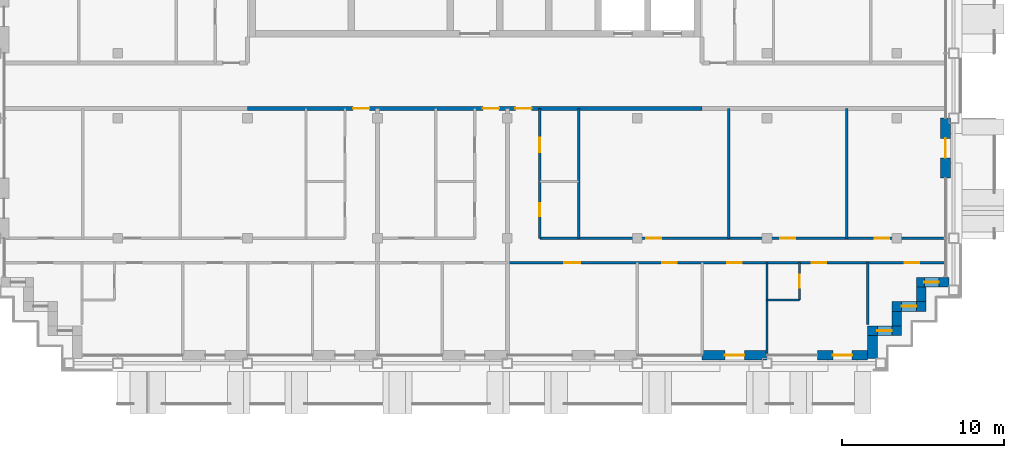
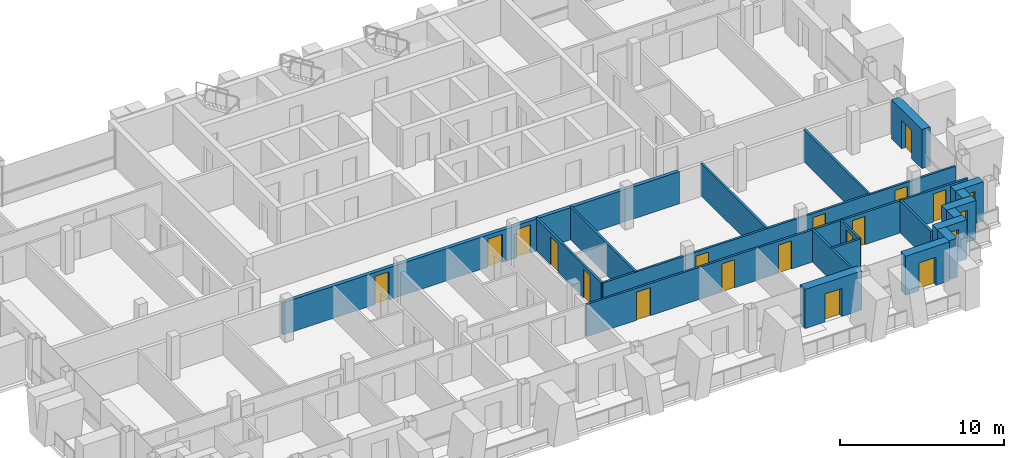
# One storey, part 9 of 16: 20 walls, 17 doors, 3 windows, 20 openings.
"""IFC4 building model written with IfcOpenShell, lengths in metres."""

from ifc_helpers import new_model, si_unit, direction, frame, frame_2d, origin, place, context, subcontext, project, spatial, rectangle, extrude, material, layer, layer_set, type_object, element, fill, save


model = new_model("IFC4")

# Units and contexts
model_context = context("Model", 3, precision=1e-05, world=origin(), true_north=direction((0.0, 1.0)))
body_context = subcontext(model_context, "Body", "Model", "MODEL_VIEW")
ifc_project = project(units=[si_unit("LENGTHUNIT", "METRE"), si_unit("AREAUNIT", "SQUARE_METRE"), si_unit("VOLUMEUNIT", "CUBIC_METRE"), si_unit("PLANEANGLEUNIT", "RADIAN"), si_unit("MASSUNIT", "GRAM", prefix="KILO")], contexts=[model_context])

# Site, building, storey
site_placement = place(None, origin())
site = spatial("IfcSite", under=ifc_project, at=site_placement, CompositionType="ELEMENT")
building_placement = place(site_placement, origin())
building = spatial("IfcBuilding", under=site, at=building_placement, Name="Vidyagriha Tower", CompositionType="ELEMENT")
storey_placement = place(building_placement, frame((0.0, 0.0, 220.39990234375)))
storey = spatial("IfcBuildingStorey", under=building, at=storey_placement, Name="L57", CompositionType="ELEMENT", Elevation=220.39990234375)

# Wall, opening, door
ifc_material_1 = material(Name="Precast concrete C40/50 with brick facing", Category="concrete")
ifc_layer_1 = layer(ifc_material_1, 0.60009765625)
ifc_layer_set_1 = layer_set([ifc_layer_1], Name="Precast concrete C40/50 with brick facing")
wall_type_1 = type_object("IfcWallType", Name="Brick-faced precast wall 600", PredefinedType="STANDARD", material=ifc_layer_set_1)
wall_1_placement = place(storey_placement, frame((14.0, -16.60009765625, 0.0)))
wall_1 = element("IfcWall", 1, at=wall_1_placement, inside=storey, type_object=wall_type_1, Name="Brick door bay wall L57 R23.11", PredefinedType="STANDARD", context=body_context, shape_type="SweptSolid", body=[
    extrude(rectangle(XDim=4.0, YDim=0.60009765625, at=frame_2d((2.0, 0.0))), origin(), (0.0, 0.0, 1.0), 2.920166015625),
])
opening_1_placement = place(wall_1_placement, frame((1.39990234375, 0.0, 0.0)))
opening_1 = element("IfcOpeningElement", 2, at=opening_1_placement, cuts=wall_1, Name="Opening D57-68", PredefinedType="OPENING", context=body_context, shape_type="SweptSolid", body=[
    extrude(rectangle(XDim=1.199951171875, YDim=2.10009765625, at=frame_2d((0.60009765625, 1.050048828125))), frame((0.0, 0.31005859375, 0.0), z_axis=(0.0, -1.0, 0.0), x_axis=(1.0, 0.0, 0.0)), (0.0, 0.0, 1.0), 0.6201171875),
])
ifc_material_2 = material(Name="Aluminium framed glazed sliding door", Category="aluminium")
door_type_1 = type_object("IfcDoorType", Name="Balcony sliding door 1200x2100", OperationType="NOTDEFINED", PredefinedType="DOOR", material=ifc_material_2)
door_1_placement = place(opening_1_placement, origin())
door_1 = element("IfcDoor", 3, at=door_1_placement, inside=storey, type_object=door_type_1, Name="Door D57-68", OperationType="SLIDING_TO_LEFT", OverallHeight=2.10009765625, OverallWidth=1.199951171875, PredefinedType="DOOR", context=body_context, shape_type="SweptSolid", body=[
    extrude(rectangle(XDim=1.199951171875, YDim=2.10009765625, at=frame_2d((0.60009765625, 1.050048828125))), frame((0.0, 0.02490234375, 0.0), z_axis=(0.0, -1.0, 0.0), x_axis=(1.0, 0.0, 0.0)), (0.0, 0.0, 1.0), 0.050048828125),
])
fill(opening_1, door_1)

wall_2_placement = place(storey_placement, frame((21.10009765625, -16.60009765625, 0.0)))
wall_2 = element("IfcWall", 4, at=wall_2_placement, inside=storey, type_object=wall_type_1, Name="Brick door bay wall L57 R23.13", PredefinedType="STANDARD", context=body_context, shape_type="SweptSolid", body=[
    extrude(rectangle(XDim=3.099853515625, YDim=0.60009765625, at=frame_2d((1.5498046875, 0.0))), origin(), (0.0, 0.0, 1.0), 2.920166015625),
])
opening_2_placement = place(wall_2_placement, frame((0.949951171875, 0.0, 0.0)))
opening_2 = element("IfcOpeningElement", 5, at=opening_2_placement, cuts=wall_2, Name="Opening D57-69", PredefinedType="OPENING", context=body_context, shape_type="SweptSolid", body=[
    extrude(rectangle(XDim=1.199951171875, YDim=2.10009765625, at=frame_2d((0.60009765625, 1.050048828125))), frame((0.0, 0.31005859375, 0.0), z_axis=(0.0, -1.0, 0.0), x_axis=(1.0, 0.0, 0.0)), (0.0, 0.0, 1.0), 0.6201171875),
])
door_2_placement = place(opening_2_placement, origin())
door_2 = element("IfcDoor", 6, at=door_2_placement, inside=storey, type_object=door_type_1, Name="Door D57-69", OperationType="SLIDING_TO_LEFT", OverallHeight=2.10009765625, OverallWidth=1.199951171875, PredefinedType="DOOR", context=body_context, shape_type="SweptSolid", body=[
    extrude(rectangle(XDim=1.199951171875, YDim=2.10009765625, at=frame_2d((0.60009765625, 1.050048828125))), frame((0.0, 0.02490234375, 0.0), z_axis=(0.0, -1.0, 0.0), x_axis=(1.0, 0.0, 0.0)), (0.0, 0.0, 1.0), 0.050048828125),
])
fill(opening_2, door_2)

# Wall
wall_3_placement = place(storey_placement, frame((24.5, -16.800048828125, 0.0), z_axis=(0.0, 0.0, 1.0), x_axis=(0.0, 1.0, 0.0)))
element("IfcWall", 7, at=wall_3_placement, inside=storey, type_object=wall_type_1, Name="Stepped corner wall L57 R24", PredefinedType="STANDARD", context=body_context, shape_type="SweptSolid", body=[
    extrude(rectangle(XDim=1.400146484375, YDim=0.60009765625, at=frame_2d((0.7001953125, 0.0))), origin(), (0.0, 0.0, 1.0), 2.920166015625),
])

# Wall, opening, window
wall_4_placement = place(storey_placement, frame((24.199951171875, -15.10009765625, 0.0)))
wall_4 = element("IfcWall", 8, at=wall_4_placement, inside=storey, type_object=wall_type_1, Name="Stepped corner wall L57 R25", PredefinedType="STANDARD", context=body_context, shape_type="SweptSolid", body=[
    extrude(rectangle(XDim=2.10009765625, YDim=0.60009765625, at=frame_2d((1.050048828125, 0.0))), origin(), (0.0, 0.0, 1.0), 2.920166015625),
])
opening_3_placement = place(wall_4_placement, frame((0.60009765625, 0.0, 0.89990234375)))
opening_3 = element("IfcOpeningElement", 9, at=opening_3_placement, cuts=wall_4, Name="Opening WN1", PredefinedType="OPENING", context=body_context, shape_type="SweptSolid", body=[
    extrude(rectangle(XDim=0.89990234375, YDim=1.5, at=frame_2d((0.449951171875, 0.75))), frame((0.0, 0.31005859375, 0.0), z_axis=(0.0, -1.0, 0.0), x_axis=(1.0, 0.0, 0.0)), (0.0, 0.0, 1.0), 0.6201171875),
])
ifc_material_3 = material(Name="Aluminium and glass window", Category="aluminium")
window_type = type_object("IfcWindowType", Name="Reveal window 900x1500", PartitioningType="NOTDEFINED", PredefinedType="WINDOW", material=ifc_material_3)
window_1_placement = place(opening_3_placement, origin())
window_1 = element("IfcWindow", 10, at=window_1_placement, inside=storey, type_object=window_type, Name="Reveal window L57 R25", OverallHeight=1.5, OverallWidth=0.89990234375, PartitioningType="SINGLE_PANEL", PredefinedType="WINDOW", context=body_context, shape_type="SweptSolid", body=[
    extrude(rectangle(XDim=0.89990234375, YDim=1.5, at=frame_2d((0.449951171875, 0.75))), frame((0.0, 0.030029296875, 0.0), z_axis=(0.0, -1.0, 0.0), x_axis=(1.0, 0.0, 0.0)), (0.0, 0.0, 1.0), 0.06005859375),
])
fill(opening_3, window_1)

# Wall
wall_5_placement = place(storey_placement, frame((26.0, -14.800048828125, 0.0), z_axis=(0.0, 0.0, 1.0), x_axis=(0.0, 1.0, 0.0)))
element("IfcWall", 11, at=wall_5_placement, inside=storey, type_object=wall_type_1, Name="Stepped corner wall L57 R26", PredefinedType="STANDARD", context=body_context, shape_type="SweptSolid", body=[
    extrude(rectangle(XDim=0.900146484375, YDim=0.60009765625, at=frame_2d((0.4501953125, 0.0))), origin(), (0.0, 0.0, 1.0), 2.920166015625),
])

# Wall, opening, window
wall_6_placement = place(storey_placement, frame((25.699951171875, -13.60009765625, 0.0)))
wall_6 = element("IfcWall", 12, at=wall_6_placement, inside=storey, type_object=wall_type_1, Name="Stepped corner wall L57 R27", PredefinedType="STANDARD", context=body_context, shape_type="SweptSolid", body=[
    extrude(rectangle(XDim=2.10009765625, YDim=0.60009765625, at=frame_2d((1.050048828125, 0.0))), origin(), (0.0, 0.0, 1.0), 2.920166015625),
])
opening_4_placement = place(wall_6_placement, frame((0.60009765625, 0.0, 0.89990234375)))
opening_4 = element("IfcOpeningElement", 13, at=opening_4_placement, cuts=wall_6, Name="Opening WN1", PredefinedType="OPENING", context=body_context, shape_type="SweptSolid", body=[
    extrude(rectangle(XDim=0.89990234375, YDim=1.5, at=frame_2d((0.449951171875, 0.75))), frame((0.0, 0.31005859375, 0.0), z_axis=(0.0, -1.0, 0.0), x_axis=(1.0, 0.0, 0.0)), (0.0, 0.0, 1.0), 0.6201171875),
])
window_2_placement = place(opening_4_placement, origin())
window_2 = element("IfcWindow", 14, at=window_2_placement, inside=storey, type_object=window_type, Name="Reveal window L57 R27", OverallHeight=1.5, OverallWidth=0.89990234375, PartitioningType="SINGLE_PANEL", PredefinedType="WINDOW", context=body_context, shape_type="SweptSolid", body=[
    extrude(rectangle(XDim=0.89990234375, YDim=1.5, at=frame_2d((0.449951171875, 0.75))), frame((0.0, 0.030029296875, 0.0), z_axis=(0.0, -1.0, 0.0), x_axis=(1.0, 0.0, 0.0)), (0.0, 0.0, 1.0), 0.06005859375),
])
fill(opening_4, window_2)

# Wall
wall_7_placement = place(storey_placement, frame((27.5, -13.300048828125, 0.0), z_axis=(0.0, 0.0, 1.0), x_axis=(0.0, 1.0, 0.0)))
element("IfcWall", 15, at=wall_7_placement, inside=storey, type_object=wall_type_1, Name="Stepped corner wall L57 R28", PredefinedType="STANDARD", context=body_context, shape_type="SweptSolid", body=[
    extrude(rectangle(XDim=0.900146484375, YDim=0.60009765625, at=frame_2d((0.4501953125, 0.0))), origin(), (0.0, 0.0, 1.0), 2.920166015625),
])

# Wall, opening, window
wall_8_placement = place(storey_placement, frame((27.199951171875, -12.10009765625, 0.0)))
wall_8 = element("IfcWall", 16, at=wall_8_placement, inside=storey, type_object=wall_type_1, Name="Stepped corner wall L57 R29", PredefinedType="STANDARD", context=body_context, shape_type="SweptSolid", body=[
    extrude(rectangle(XDim=2.0, YDim=0.60009765625, at=frame_2d((1.0, 0.0))), origin(), (0.0, 0.0, 1.0), 2.920166015625),
])
opening_5_placement = place(wall_8_placement, frame((0.489990234375, 0.0, 0.89990234375)))
opening_5 = element("IfcOpeningElement", 17, at=opening_5_placement, cuts=wall_8, Name="Opening WN1", PredefinedType="OPENING", context=body_context, shape_type="SweptSolid", body=[
    extrude(rectangle(XDim=0.89990234375, YDim=1.5, at=frame_2d((0.449951171875, 0.75))), frame((0.0, 0.31005859375, 0.0), z_axis=(0.0, -1.0, 0.0), x_axis=(1.0, 0.0, 0.0)), (0.0, 0.0, 1.0), 0.6201171875),
])
window_3_placement = place(opening_5_placement, origin())
window_3 = element("IfcWindow", 18, at=window_3_placement, inside=storey, type_object=window_type, Name="Reveal window L57 R29", OverallHeight=1.5, OverallWidth=0.89990234375, PartitioningType="SINGLE_PANEL", PredefinedType="WINDOW", context=body_context, shape_type="SweptSolid", body=[
    extrude(rectangle(XDim=0.89990234375, YDim=1.5, at=frame_2d((0.449951171875, 0.75))), frame((0.0, 0.030029296875, 0.0), z_axis=(0.0, -1.0, 0.0), x_axis=(1.0, 0.0, 0.0)), (0.0, 0.0, 1.0), 0.06005859375),
])
fill(opening_5, window_3)

# Wall, opening, door
wall_9_placement = place(storey_placement, frame((29.0, -5.699951171875, 0.0), z_axis=(0.0, 0.0, 1.0), x_axis=(0.0, 1.0, 0.0)))
wall_9 = element("IfcWall", 19, at=wall_9_placement, inside=storey, type_object=wall_type_1, Name="Brick door bay wall L57 R30.3", PredefinedType="STANDARD", context=body_context, shape_type="SweptSolid", body=[
    extrude(rectangle(XDim=3.699951171875, YDim=0.60009765625, at=frame_2d((1.85009765625, 0.0))), origin(), (0.0, 0.0, 1.0), 2.920166015625),
])
opening_6_placement = place(wall_9_placement, frame((1.25, 0.0, 0.0)))
opening_6 = element("IfcOpeningElement", 20, at=opening_6_placement, cuts=wall_9, Name="Opening D57-70", PredefinedType="OPENING", context=body_context, shape_type="SweptSolid", body=[
    extrude(rectangle(XDim=1.199951171875, YDim=2.10009765625, at=frame_2d((0.60009765625, 1.050048828125))), frame((0.0, 0.31005859375, 0.0), z_axis=(0.0, -1.0, 0.0), x_axis=(1.0, 0.0, 0.0)), (0.0, 0.0, 1.0), 0.6201171875),
])
door_3_placement = place(opening_6_placement, origin())
door_3 = element("IfcDoor", 21, at=door_3_placement, inside=storey, type_object=door_type_1, Name="Door D57-70", OperationType="SLIDING_TO_LEFT", OverallHeight=2.10009765625, OverallWidth=1.199951171875, PredefinedType="DOOR", context=body_context, shape_type="SweptSolid", body=[
    extrude(rectangle(XDim=1.199951171875, YDim=2.10009765625, at=frame_2d((0.60009765625, 1.050048828125))), frame((0.0, 0.02490234375, 0.0), z_axis=(0.0, -1.0, 0.0), x_axis=(1.0, 0.0, 0.0)), (0.0, 0.0, 1.0), 0.050048828125),
])
fill(opening_6, door_3)

# Wall, openings, doors
ifc_material_4 = material(Name="Fired clay brick masonry", Category="masonry")
ifc_layer_2 = layer(ifc_material_4, 0.25)
ifc_layer_set_2 = layer_set([ifc_layer_2], Name="Fired clay brick masonry")
wall_type_2 = type_object("IfcWallType", Name="Fired clay brick corridor wall 250", PredefinedType="PARTITIONING", material=ifc_layer_set_2)
wall_10_placement = place(storey_placement, frame((14.0, -1.39990234375, 0.0), z_axis=(0.0, 0.0, 1.0), x_axis=(-1.0, 0.0, 0.0)))
wall_10 = element("IfcWall", 22, at=wall_10_placement, inside=storey, type_object=wall_type_2, Name="Wall all-L57-w099", PredefinedType="PARTITIONING", context=body_context, shape_type="SweptSolid", body=[
    extrude(rectangle(XDim=28.0, YDim=0.25, at=frame_2d((14.0, 0.0))), origin(), (0.0, 0.0, 1.0), 2.400146484375),
])
opening_7_placement = place(wall_10_placement, frame((20.5, 0.0, 0.0)))
opening_7 = element("IfcOpeningElement", 23, at=opening_7_placement, cuts=wall_10, Name="Opening D57-28", PredefinedType="OPENING", context=body_context, shape_type="SweptSolid", body=[
    extrude(rectangle(XDim=1.0, YDim=2.10009765625, at=frame_2d((0.5, 1.050048828125))), frame((0.0, 0.135009765625, 0.0), z_axis=(0.0, -1.0, 0.0), x_axis=(1.0, 0.0, 0.0)), (0.0, 0.0, 1.0), 0.27001953125),
])
opening_8_placement = place(wall_10_placement, frame((12.5, 0.0, 0.0)))
opening_8 = element("IfcOpeningElement", 24, at=opening_8_placement, cuts=wall_10, Name="Opening D57-34", PredefinedType="OPENING", context=body_context, shape_type="SweptSolid", body=[
    extrude(rectangle(XDim=1.0, YDim=2.10009765625, at=frame_2d((0.5, 1.050048828125))), frame((0.0, 0.135009765625, 0.0), z_axis=(0.0, -1.0, 0.0), x_axis=(1.0, 0.0, 0.0)), (0.0, 0.0, 1.0), 0.27001953125),
])
opening_9_placement = place(wall_10_placement, frame((10.5, 0.0, 0.0)))
opening_9 = element("IfcOpeningElement", 25, at=opening_9_placement, cuts=wall_10, Name="Opening D57-46", PredefinedType="OPENING", context=body_context, shape_type="SweptSolid", body=[
    extrude(rectangle(XDim=1.0, YDim=2.10009765625, at=frame_2d((0.5, 1.050048828125))), frame((0.0, 0.135009765625, 0.0), z_axis=(0.0, -1.0, 0.0), x_axis=(1.0, 0.0, 0.0)), (0.0, 0.0, 1.0), 0.27001953125),
])
ifc_material_5 = material(Name="Fire-rated timber door leaf EI 60", Category="wood")
door_type_2 = type_object("IfcDoorType", Name="Flat entrance fire door 1000x2100", OperationType="NOTDEFINED", PredefinedType="DOOR", material=ifc_material_5)
door_4_placement = place(opening_7_placement, origin())
door_4 = element("IfcDoor", 26, at=door_4_placement, inside=storey, type_object=door_type_2, Name="Door D57-28", OperationType="SINGLE_SWING_LEFT", OverallHeight=2.10009765625, OverallWidth=1.0, PredefinedType="DOOR", context=body_context, shape_type="SweptSolid", body=[
    extrude(rectangle(XDim=1.0, YDim=2.10009765625, at=frame_2d((0.5, 1.050048828125))), frame((0.0, 0.02490234375, 0.0), z_axis=(0.0, -1.0, 0.0), x_axis=(1.0, 0.0, 0.0)), (0.0, 0.0, 1.0), 0.050048828125),
])
fill(opening_7, door_4)
door_5_placement = place(opening_8_placement, origin())
door_5 = element("IfcDoor", 27, at=door_5_placement, inside=storey, type_object=door_type_2, Name="Door D57-34", OperationType="SINGLE_SWING_LEFT", OverallHeight=2.10009765625, OverallWidth=1.0, PredefinedType="DOOR", context=body_context, shape_type="SweptSolid", body=[
    extrude(rectangle(XDim=1.0, YDim=2.10009765625, at=frame_2d((0.5, 1.050048828125))), frame((0.0, 0.02490234375, 0.0), z_axis=(0.0, -1.0, 0.0), x_axis=(1.0, 0.0, 0.0)), (0.0, 0.0, 1.0), 0.050048828125),
])
fill(opening_8, door_5)
door_6_placement = place(opening_9_placement, origin())
door_6 = element("IfcDoor", 28, at=door_6_placement, inside=storey, type_object=door_type_2, Name="Door D57-46", OperationType="SINGLE_SWING_RIGHT", OverallHeight=2.10009765625, OverallWidth=1.0, PredefinedType="DOOR", context=body_context, shape_type="SweptSolid", body=[
    extrude(rectangle(XDim=1.0, YDim=2.10009765625, at=frame_2d((0.5, 1.050048828125))), frame((0.0, 0.02490234375, 0.0), z_axis=(0.0, -1.0, 0.0), x_axis=(1.0, 0.0, 0.0)), (0.0, 0.0, 1.0), 0.050048828125),
])
fill(opening_9, door_6)

# Walls
ifc_material_6 = material(Name="Gypsum board partition")
ifc_layer_3 = layer(ifc_material_6, 0.14990234375)
ifc_layer_set_3 = layer_set([ifc_layer_3], Name="Gypsum board partition")
wall_type_3 = type_object("IfcWallType", Name="Gypsum board partition 150", PredefinedType="PARTITIONING", material=ifc_layer_set_3)
for number, where, z_axis, x_axis, name in (
    (29, (6.39990234375, -1.39990234375, 0.0), (0.0, 0.0, 1.0), (0.0, -1.0, 0.0), "Wall all-L57-w043"),
    (30, (15.64990234375, -1.39990234375, 0.0), (0.0, 0.0, 1.0), (0.0, -1.0, 0.0), "Wall all-L57-w044"),
    (31, (22.89990234375, -1.39990234375, 0.0), (0.0, 0.0, 1.0), (0.0, -1.0, 0.0), "Wall all-L57-w045"),
):
    element("IfcWall", number, at=place(storey_placement, frame(where, z_axis=z_axis, x_axis=x_axis)), inside=storey, type_object=wall_type_3, Name=name, PredefinedType="PARTITIONING", context=body_context, shape_type="SweptSolid", body=[
        extrude(rectangle(XDim=8.0, YDim=0.14990234375, at=frame_2d((4.0, 0.0))), origin(), (0.0, 0.0, 1.0), 2.400146484375),
    ])

# Wall, openings, doors
wall_11_placement = place(storey_placement, frame((4.0, -9.39990234375, 0.0)))
wall_11 = element("IfcWall", 32, at=wall_11_placement, inside=storey, type_object=wall_type_3, Name="Wall all-L57-w046", PredefinedType="PARTITIONING", context=body_context, shape_type="SweptSolid", body=[
    extrude(rectangle(XDim=24.919921875, YDim=0.14990234375, at=frame_2d((12.4599609375, 0.0))), origin(), (0.0, 0.0, 1.0), 2.400146484375),
])
opening_10_placement = place(wall_11_placement, frame((6.574951171875, 0.0, 0.0)))
opening_10 = element("IfcOpeningElement", 33, at=opening_10_placement, cuts=wall_11, Name="Opening D57-37", PredefinedType="OPENING", context=body_context, shape_type="SweptSolid", body=[
    extrude(rectangle(XDim=0.89990234375, YDim=2.10009765625, at=frame_2d((0.449951171875, 1.050048828125))), frame((0.0, 0.0849609375, 0.0), z_axis=(0.0, -1.0, 0.0), x_axis=(1.0, 0.0, 0.0)), (0.0, 0.0, 1.0), 0.169921875),
])
opening_11_placement = place(wall_11_placement, frame((14.824951171875, 0.0, 0.0)))
opening_11 = element("IfcOpeningElement", 34, at=opening_11_placement, cuts=wall_11, Name="Opening D57-38", PredefinedType="OPENING", context=body_context, shape_type="SweptSolid", body=[
    extrude(rectangle(XDim=0.89990234375, YDim=2.10009765625, at=frame_2d((0.449951171875, 1.050048828125))), frame((0.0, 0.0849609375, 0.0), z_axis=(0.0, -1.0, 0.0), x_axis=(1.0, 0.0, 0.0)), (0.0, 0.0, 1.0), 0.169921875),
])
opening_12_placement = place(wall_11_placement, frame((20.6240234375, 0.0, 0.0)))
opening_12 = element("IfcOpeningElement", 35, at=opening_12_placement, cuts=wall_11, Name="Opening D57-39", PredefinedType="OPENING", context=body_context, shape_type="SweptSolid", body=[
    extrude(rectangle(XDim=0.89990234375, YDim=2.10009765625, at=frame_2d((0.449951171875, 1.050048828125))), frame((0.0, 0.0849609375, 0.0), z_axis=(0.0, -1.0, 0.0), x_axis=(1.0, 0.0, 0.0)), (0.0, 0.0, 1.0), 0.169921875),
])
ifc_material_7 = material(Name="Timber door leaf", Category="wood")
door_type_3 = type_object("IfcDoorType", Name="Room door 900x2100", OperationType="NOTDEFINED", PredefinedType="DOOR", material=ifc_material_7)
door_7_placement = place(opening_10_placement, origin())
door_7 = element("IfcDoor", 36, at=door_7_placement, inside=storey, type_object=door_type_3, Name="Door D57-37", OperationType="SINGLE_SWING_RIGHT", OverallHeight=2.10009765625, OverallWidth=0.89990234375, PredefinedType="DOOR", context=body_context, shape_type="SweptSolid", body=[
    extrude(rectangle(XDim=0.89990234375, YDim=2.10009765625, at=frame_2d((0.449951171875, 1.050048828125))), frame((0.0, 0.02490234375, 0.0), z_axis=(0.0, -1.0, 0.0), x_axis=(1.0, 0.0, 0.0)), (0.0, 0.0, 1.0), 0.050048828125),
])
fill(opening_10, door_7)
door_8_placement = place(opening_11_placement, origin())
door_8 = element("IfcDoor", 37, at=door_8_placement, inside=storey, type_object=door_type_3, Name="Door D57-38", OperationType="SINGLE_SWING_LEFT", OverallHeight=2.10009765625, OverallWidth=0.89990234375, PredefinedType="DOOR", context=body_context, shape_type="SweptSolid", body=[
    extrude(rectangle(XDim=0.89990234375, YDim=2.10009765625, at=frame_2d((0.449951171875, 1.050048828125))), frame((0.0, 0.02490234375, 0.0), z_axis=(0.0, -1.0, 0.0), x_axis=(1.0, 0.0, 0.0)), (0.0, 0.0, 1.0), 0.050048828125),
])
fill(opening_11, door_8)
door_9_placement = place(opening_12_placement, origin())
door_9 = element("IfcDoor", 38, at=door_9_placement, inside=storey, type_object=door_type_3, Name="Door D57-39", OperationType="SINGLE_SWING_LEFT", OverallHeight=2.10009765625, OverallWidth=0.89990234375, PredefinedType="DOOR", context=body_context, shape_type="SweptSolid", body=[
    extrude(rectangle(XDim=0.89990234375, YDim=2.10009765625, at=frame_2d((0.449951171875, 1.050048828125))), frame((0.0, 0.02490234375, 0.0), z_axis=(0.0, -1.0, 0.0), x_axis=(1.0, 0.0, 0.0)), (0.0, 0.0, 1.0), 0.050048828125),
])
fill(opening_12, door_9)

wall_12_placement = place(storey_placement, frame((28.919921875, -10.89990234375, 0.0), z_axis=(0.0, 0.0, 1.0), x_axis=(-1.0, 0.0, 0.0)))
wall_12 = element("IfcWall", 39, at=wall_12_placement, inside=storey, type_object=wall_type_3, Name="Wall all-L57-w050", PredefinedType="PARTITIONING", context=body_context, shape_type="SweptSolid", body=[
    extrude(rectangle(XDim=26.919921875, YDim=0.14990234375, at=frame_2d((13.4599609375, 0.0))), origin(), (0.0, 0.0, 1.0), 2.400146484375),
])
opening_13_placement = place(wall_12_placement, frame((22.419921875, 0.0, 0.0)))
opening_13 = element("IfcOpeningElement", 40, at=opening_13_placement, cuts=wall_12, Name="Opening D57-40", PredefinedType="OPENING", context=body_context, shape_type="SweptSolid", body=[
    extrude(rectangle(XDim=1.0, YDim=2.10009765625, at=frame_2d((0.5, 1.050048828125))), frame((0.0, 0.0849609375, 0.0), z_axis=(0.0, -1.0, 0.0), x_axis=(1.0, 0.0, 0.0)), (0.0, 0.0, 1.0), 0.169921875),
])
opening_14_placement = place(wall_12_placement, frame((16.469970703125, 0.0, 0.0)))
opening_14 = element("IfcOpeningElement", 41, at=opening_14_placement, cuts=wall_12, Name="Opening D57-41", PredefinedType="OPENING", context=body_context, shape_type="SweptSolid", body=[
    extrude(rectangle(XDim=0.89990234375, YDim=2.10009765625, at=frame_2d((0.449951171875, 1.050048828125))), frame((0.0, 0.0849609375, 0.0), z_axis=(0.0, -1.0, 0.0), x_axis=(1.0, 0.0, 0.0)), (0.0, 0.0, 1.0), 0.169921875),
])
opening_15_placement = place(wall_12_placement, frame((12.469970703125, 0.0, 0.0)))
opening_15 = element("IfcOpeningElement", 42, at=opening_15_placement, cuts=wall_12, Name="Opening D57-42", PredefinedType="OPENING", context=body_context, shape_type="SweptSolid", body=[
    extrude(rectangle(XDim=0.89990234375, YDim=2.10009765625, at=frame_2d((0.449951171875, 1.050048828125))), frame((0.0, 0.0849609375, 0.0), z_axis=(0.0, -1.0, 0.0), x_axis=(1.0, 0.0, 0.0)), (0.0, 0.0, 1.0), 0.169921875),
])
opening_16_placement = place(wall_12_placement, frame((7.27001953125, 0.0, 0.0)))
opening_16 = element("IfcOpeningElement", 43, at=opening_16_placement, cuts=wall_12, Name="Opening D57-43", PredefinedType="OPENING", context=body_context, shape_type="SweptSolid", body=[
    extrude(rectangle(XDim=0.89990234375, YDim=2.10009765625, at=frame_2d((0.449951171875, 1.050048828125))), frame((0.0, 0.0849609375, 0.0), z_axis=(0.0, -1.0, 0.0), x_axis=(1.0, 0.0, 0.0)), (0.0, 0.0, 1.0), 0.169921875),
])
opening_17_placement = place(wall_12_placement, frame((1.5439453125, 0.0, 0.0)))
opening_17 = element("IfcOpeningElement", 44, at=opening_17_placement, cuts=wall_12, Name="Opening D57-44", PredefinedType="OPENING", context=body_context, shape_type="SweptSolid", body=[
    extrude(rectangle(XDim=0.89990234375, YDim=2.10009765625, at=frame_2d((0.449951171875, 1.050048828125))), frame((0.0, 0.0849609375, 0.0), z_axis=(0.0, -1.0, 0.0), x_axis=(1.0, 0.0, 0.0)), (0.0, 0.0, 1.0), 0.169921875),
])
ifc_material_8 = material(Name="Timber door leaf", Category="wood")
door_type_4 = type_object("IfcDoorType", Name="Room door 1000x2100", OperationType="NOTDEFINED", PredefinedType="DOOR", material=ifc_material_8)
door_10_placement = place(opening_13_placement, origin())
door_10 = element("IfcDoor", 45, at=door_10_placement, inside=storey, type_object=door_type_4, Name="Door D57-40", OperationType="SINGLE_SWING_RIGHT", OverallHeight=2.10009765625, OverallWidth=1.0, PredefinedType="DOOR", context=body_context, shape_type="SweptSolid", body=[
    extrude(rectangle(XDim=1.0, YDim=2.10009765625, at=frame_2d((0.5, 1.050048828125))), frame((0.0, 0.02490234375, 0.0), z_axis=(0.0, -1.0, 0.0), x_axis=(1.0, 0.0, 0.0)), (0.0, 0.0, 1.0), 0.050048828125),
])
fill(opening_13, door_10)
door_11_placement = place(opening_14_placement, origin())
door_11 = element("IfcDoor", 46, at=door_11_placement, inside=storey, type_object=door_type_3, Name="Door D57-41", OperationType="SINGLE_SWING_RIGHT", OverallHeight=2.10009765625, OverallWidth=0.89990234375, PredefinedType="DOOR", context=body_context, shape_type="SweptSolid", body=[
    extrude(rectangle(XDim=0.89990234375, YDim=2.10009765625, at=frame_2d((0.449951171875, 1.050048828125))), frame((0.0, 0.02490234375, 0.0), z_axis=(0.0, -1.0, 0.0), x_axis=(1.0, 0.0, 0.0)), (0.0, 0.0, 1.0), 0.050048828125),
])
fill(opening_14, door_11)
door_12_placement = place(opening_15_placement, origin())
door_12 = element("IfcDoor", 47, at=door_12_placement, inside=storey, type_object=door_type_3, Name="Door D57-42", OperationType="SINGLE_SWING_RIGHT", OverallHeight=2.10009765625, OverallWidth=0.89990234375, PredefinedType="DOOR", context=body_context, shape_type="SweptSolid", body=[
    extrude(rectangle(XDim=0.89990234375, YDim=2.10009765625, at=frame_2d((0.449951171875, 1.050048828125))), frame((0.0, 0.02490234375, 0.0), z_axis=(0.0, -1.0, 0.0), x_axis=(1.0, 0.0, 0.0)), (0.0, 0.0, 1.0), 0.050048828125),
])
fill(opening_15, door_12)
door_13_placement = place(opening_16_placement, origin())
door_13 = element("IfcDoor", 48, at=door_13_placement, inside=storey, type_object=door_type_3, Name="Door D57-43", OperationType="SINGLE_SWING_LEFT", OverallHeight=2.10009765625, OverallWidth=0.89990234375, PredefinedType="DOOR", context=body_context, shape_type="SweptSolid", body=[
    extrude(rectangle(XDim=0.89990234375, YDim=2.10009765625, at=frame_2d((0.449951171875, 1.050048828125))), frame((0.0, 0.02490234375, 0.0), z_axis=(0.0, -1.0, 0.0), x_axis=(1.0, 0.0, 0.0)), (0.0, 0.0, 1.0), 0.050048828125),
])
fill(opening_16, door_13)
door_14_placement = place(opening_17_placement, origin())
door_14 = element("IfcDoor", 49, at=door_14_placement, inside=storey, type_object=door_type_3, Name="Door D57-44", OperationType="SINGLE_SWING_LEFT", OverallHeight=2.10009765625, OverallWidth=0.89990234375, PredefinedType="DOOR", context=body_context, shape_type="SweptSolid", body=[
    extrude(rectangle(XDim=0.89990234375, YDim=2.10009765625, at=frame_2d((0.449951171875, 1.050048828125))), frame((0.0, 0.02490234375, 0.0), z_axis=(0.0, -1.0, 0.0), x_axis=(1.0, 0.0, 0.0)), (0.0, 0.0, 1.0), 0.050048828125),
])
fill(opening_17, door_14)

# Walls
wall_13_placement = place(storey_placement, frame((18.0, -10.89990234375, 0.0), z_axis=(0.0, 0.0, 1.0), x_axis=(0.0, -1.0, 0.0)))
element("IfcWall", 50, at=wall_13_placement, inside=storey, type_object=wall_type_3, Name="Wall all-L57-w058", PredefinedType="PARTITIONING", context=body_context, shape_type="SweptSolid", body=[
    extrude(rectangle(XDim=5.610107421875, YDim=0.14990234375, at=frame_2d((2.80517578125, 0.0))), origin(), (0.0, 0.0, 1.0), 2.400146484375),
])
wall_14_placement = place(storey_placement, frame((24.199951171875, -10.89990234375, 0.0), z_axis=(0.0, 0.0, 1.0), x_axis=(0.0, -1.0, 0.0)))
element("IfcWall", 51, at=wall_14_placement, inside=storey, type_object=wall_type_3, Name="Wall all-L57-w059", PredefinedType="PARTITIONING", context=body_context, shape_type="SweptSolid", body=[
    extrude(rectangle(XDim=3.820068359375, YDim=0.14990234375, at=frame_2d((1.91015625, 0.0))), origin(), (0.0, 0.0, 1.0), 2.400146484375),
])

# Wall, opening, door
wall_15_placement = place(storey_placement, frame((20.0, -10.89990234375, 0.0), z_axis=(0.0, 0.0, 1.0), x_axis=(0.0, -1.0, 0.0)))
wall_15 = element("IfcWall", 52, at=wall_15_placement, inside=storey, type_object=wall_type_3, Name="Wall all-L57-w060", PredefinedType="PARTITIONING", context=body_context, shape_type="SweptSolid", body=[
    extrude(rectangle(XDim=2.300048828125, YDim=0.14990234375, at=frame_2d((1.14990234375, 0.0))), origin(), (0.0, 0.0, 1.0), 2.400146484375),
])
opening_18_placement = place(wall_15_placement, frame((0.75, 0.0, 0.0)))
opening_18 = element("IfcOpeningElement", 53, at=opening_18_placement, cuts=wall_15, Name="Opening D57-45", PredefinedType="OPENING", context=body_context, shape_type="SweptSolid", body=[
    extrude(rectangle(XDim=0.800048828125, YDim=2.10009765625, at=frame_2d((0.39990234375, 1.050048828125))), frame((0.0, 0.0849609375, 0.0), z_axis=(0.0, -1.0, 0.0), x_axis=(1.0, 0.0, 0.0)), (0.0, 0.0, 1.0), 0.169921875),
])
ifc_material_9 = material(Name="Timber door leaf", Category="wood")
door_type_5 = type_object("IfcDoorType", Name="Bathroom door 800x2100", OperationType="NOTDEFINED", PredefinedType="DOOR", material=ifc_material_9)
door_15_placement = place(opening_18_placement, origin())
door_15 = element("IfcDoor", 54, at=door_15_placement, inside=storey, type_object=door_type_5, Name="Door D57-45", OperationType="SINGLE_SWING_LEFT", OverallHeight=2.10009765625, OverallWidth=0.800048828125, PredefinedType="DOOR", context=body_context, shape_type="SweptSolid", body=[
    extrude(rectangle(XDim=0.800048828125, YDim=2.10009765625, at=frame_2d((0.39990234375, 1.050048828125))), frame((0.0, 0.02490234375, 0.0), z_axis=(0.0, -1.0, 0.0), x_axis=(1.0, 0.0, 0.0)), (0.0, 0.0, 1.0), 0.050048828125),
])
fill(opening_18, door_15)

# Wall
wall_16_placement = place(storey_placement, frame((20.0, -13.199951171875, 0.0), z_axis=(0.0, 0.0, 1.0), x_axis=(-1.0, 0.0, 0.0)))
element("IfcWall", 55, at=wall_16_placement, inside=storey, type_object=wall_type_3, Name="Wall all-L57-w061", PredefinedType="PARTITIONING", context=body_context, shape_type="SweptSolid", body=[
    extrude(rectangle(XDim=2.0, YDim=0.14990234375, at=frame_2d((1.0, 0.0))), origin(), (0.0, 0.0, 1.0), 2.400146484375),
])

# Wall, openings, doors
ifc_material_10 = material(Name="Moisture resistant gypsum board partition")
ifc_layer_4 = layer(ifc_material_10, 0.14990234375)
ifc_layer_set_4 = layer_set([ifc_layer_4], Name="Moisture resistant gypsum board partition")
wall_type_4 = type_object("IfcWallType", Name="Gypsum board wet-area partition 150", PredefinedType="PARTITIONING", material=ifc_layer_set_4)
wall_17_placement = place(storey_placement, frame((4.0, -1.39990234375, 0.0), z_axis=(0.0, 0.0, 1.0), x_axis=(0.0, -1.0, 0.0)))
wall_17 = element("IfcWall", 56, at=wall_17_placement, inside=storey, type_object=wall_type_4, Name="Wall all-L57-w039", PredefinedType="PARTITIONING", context=body_context, shape_type="SweptSolid", body=[
    extrude(rectangle(XDim=8.0, YDim=0.14990234375, at=frame_2d((4.0, 0.0))), origin(), (0.0, 0.0, 1.0), 2.400146484375),
])
opening_19_placement = place(wall_17_placement, frame((1.800048828125, 0.0, 0.0)))
opening_19 = element("IfcOpeningElement", 57, at=opening_19_placement, cuts=wall_17, Name="Opening D57-35", PredefinedType="OPENING", context=body_context, shape_type="SweptSolid", body=[
    extrude(rectangle(XDim=0.89990234375, YDim=2.10009765625, at=frame_2d((0.449951171875, 1.050048828125))), frame((0.0, 0.0849609375, 0.0), z_axis=(0.0, -1.0, 0.0), x_axis=(1.0, 0.0, 0.0)), (0.0, 0.0, 1.0), 0.169921875),
])
opening_20_placement = place(wall_17_placement, frame((5.85009765625, 0.0, 0.0)))
opening_20 = element("IfcOpeningElement", 58, at=opening_20_placement, cuts=wall_17, Name="Opening D57-36", PredefinedType="OPENING", context=body_context, shape_type="SweptSolid", body=[
    extrude(rectangle(XDim=0.800048828125, YDim=2.10009765625, at=frame_2d((0.39990234375, 1.050048828125))), frame((0.0, 0.0849609375, 0.0), z_axis=(0.0, -1.0, 0.0), x_axis=(1.0, 0.0, 0.0)), (0.0, 0.0, 1.0), 0.169921875),
])
door_16_placement = place(opening_20_placement, origin())
door_16 = element("IfcDoor", 59, at=door_16_placement, inside=storey, type_object=door_type_5, Name="Door D57-36", OperationType="SINGLE_SWING_RIGHT", OverallHeight=2.10009765625, OverallWidth=0.800048828125, PredefinedType="DOOR", context=body_context, shape_type="SweptSolid", body=[
    extrude(rectangle(XDim=0.800048828125, YDim=2.10009765625, at=frame_2d((0.39990234375, 1.050048828125))), frame((0.0, 0.02490234375, 0.0), z_axis=(0.0, -1.0, 0.0), x_axis=(1.0, 0.0, 0.0)), (0.0, 0.0, 1.0), 0.050048828125),
])
fill(opening_20, door_16)
ifc_material_11 = material(Name="Timber door leaf", Category="wood")
door_type_6 = type_object("IfcDoorType", Name="Kitchen door 900x2100", OperationType="NOTDEFINED", PredefinedType="DOOR", material=ifc_material_11)
door_17_placement = place(opening_19_placement, origin())
door_17 = element("IfcDoor", 60, at=door_17_placement, inside=storey, type_object=door_type_6, Name="Door D57-35", OperationType="SINGLE_SWING_LEFT", OverallHeight=2.10009765625, OverallWidth=0.89990234375, PredefinedType="DOOR", context=body_context, shape_type="SweptSolid", body=[
    extrude(rectangle(XDim=0.89990234375, YDim=2.10009765625, at=frame_2d((0.449951171875, 1.050048828125))), frame((0.0, 0.02490234375, 0.0), z_axis=(0.0, -1.0, 0.0), x_axis=(1.0, 0.0, 0.0)), (0.0, 0.0, 1.0), 0.050048828125),
])
fill(opening_19, door_17)

save(model, "model.ifc")
